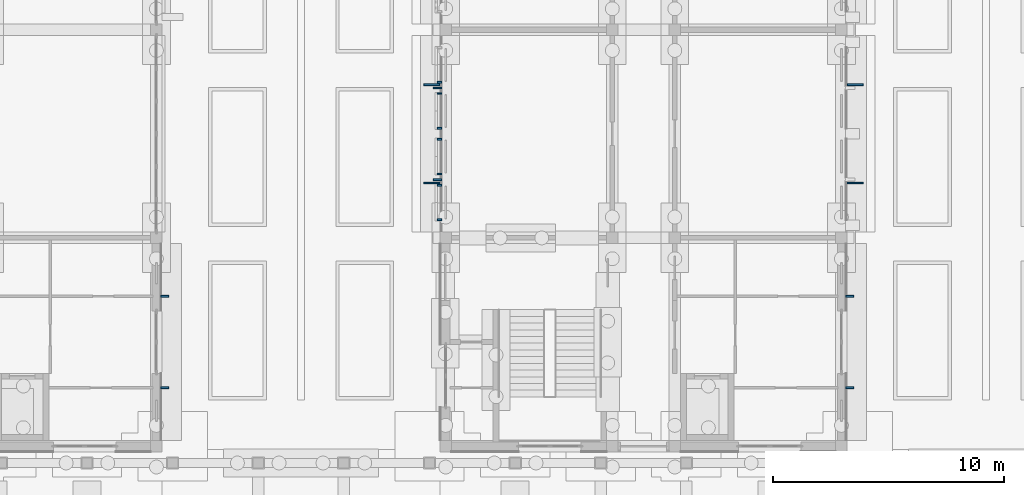
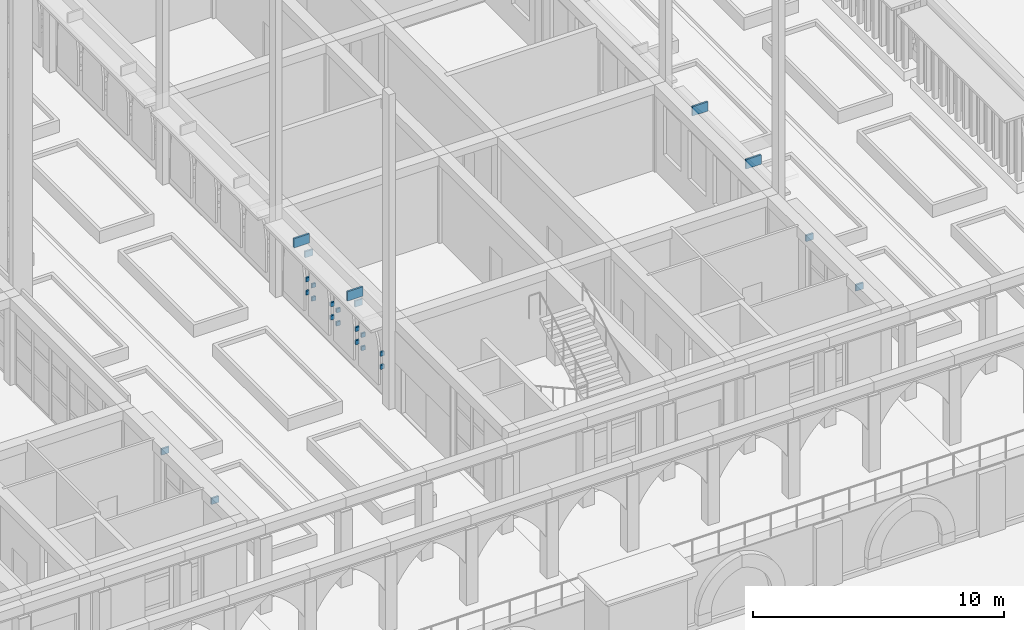
# One storey, part 79 of 161: 24 discrete accessories.
"""IFC4 building model written with IfcOpenShell, lengths in metres."""

from ifc_helpers import new_model, si_unit, direction, frame, origin, origin_2d, place, context, subcontext, project, spatial, rectangle, extrude, material, type_object, element, save


model = new_model("IFC4")

# Units and contexts
model_context = context("Model", 3, precision=1e-05, world=origin(), true_north=direction((0.0, 1.0)))
body_context = subcontext(model_context, "Body", "Model", "MODEL_VIEW")
ifc_project = project(units=[si_unit("LENGTHUNIT", "METRE"), si_unit("AREAUNIT", "SQUARE_METRE"), si_unit("VOLUMEUNIT", "CUBIC_METRE"), si_unit("PLANEANGLEUNIT", "RADIAN"), si_unit("MASSUNIT", "GRAM", prefix="KILO")], contexts=[model_context])

# Site, building, storey
site_placement = place(None, origin())
site = spatial("IfcSite", under=ifc_project, at=site_placement, CompositionType="ELEMENT")
building_placement = place(site_placement, origin())
building = spatial("IfcBuilding", under=site, at=building_placement, Name="Elbe Cascade School", CompositionType="ELEMENT")
storey_placement = place(building_placement, origin())
storey = spatial("IfcBuildingStorey", under=building, at=storey_placement, Name="L00", CompositionType="ELEMENT", Elevation=0.0)

# Discrete accessories
ifc_material = material(Name="Steel S355J2, hot-dip galvanised", Category="steel")
discrete_accessory_type = type_object("IfcDiscreteAccessoryType", Name="Bars envelope Bracket, galvanised steel", PredefinedType="BRACKET", material=ifc_material)
for number, where, z_axis, x_axis, name in (
    (1, (86.455078125, 8.52001953125, 3.330078125), (0.0, 0.0, 1.0), (0.0, 1.0, 0.0), "Bracket AC7 eave.e.1.br1"),
    (2, (86.455078125, 12.47998046875, 3.330078125), (0.0, 0.0, 1.0), (0.0, 1.0, 0.0), "Bracket AC7 eave.e.1.br2"),
    (3, (98.2451171875, 17.52001953125, 3.330078125), (0.0, 0.0, 1.0), (0.0, 1.0, 0.0), "Bracket AC7 eave.w.2.br1"),
    (4, (98.2451171875, 21.47998046875, 3.330078125), (0.0, 0.0, 1.0), (0.0, 1.0, 0.0), "Bracket AC7 eave.w.2.br2"),
):
    element("IfcDiscreteAccessory", number, at=place(storey_placement, frame(where, z_axis=z_axis, x_axis=x_axis)), inside=storey, type_object=discrete_accessory_type, Name=name, PredefinedType="BRACKET", context=body_context, shape_type="SweptSolid", body=[
        extrude(rectangle(XDim=0.080078125, YDim=0.35009765625, at=origin_2d()), origin(), (0.0, 0.0, 1.0), 0.300048828125),
    ])
for number, where, z_axis, x_axis, name in (
    (5, (98.330078125, 15.780029296875, 1.2998046875), (0.0, 0.0, 1.0), (0.0, 1.0, 0.0), "Bracket AC7 jali.w.2.br1ll"),
    (6, (98.330078125, 15.780029296875, 1.93994140625), (0.0, 0.0, 1.0), (0.0, 1.0, 0.0), "Bracket AC7 jali.w.2.br1lu"),
    (7, (98.330078125, 17.280029296875, 1.2998046875), (0.0, 0.0, 1.0), (0.0, 1.0, 0.0), "Bracket AC7 jali.w.2.br1rl"),
    (8, (98.330078125, 17.280029296875, 1.93994140625), (0.0, 0.0, 1.0), (0.0, 1.0, 0.0), "Bracket AC7 jali.w.2.br1ru"),
    (9, (98.330078125, 17.760009765625, 1.2998046875), (0.0, 0.0, 1.0), (0.0, 1.0, 0.0), "Bracket AC7 jali.w.2.br2ll"),
    (10, (98.330078125, 17.760009765625, 1.93994140625), (0.0, 0.0, 1.0), (0.0, 1.0, 0.0), "Bracket AC7 jali.w.2.br2lu"),
    (11, (98.330078125, 19.260009765625, 1.2998046875), (0.0, 0.0, 1.0), (0.0, 1.0, 0.0), "Bracket AC7 jali.w.2.br2rl"),
    (12, (98.330078125, 19.260009765625, 1.93994140625), (0.0, 0.0, 1.0), (0.0, 1.0, 0.0), "Bracket AC7 jali.w.2.br2ru"),
    (13, (98.330078125, 19.739990234375, 1.2998046875), (0.0, 0.0, 1.0), (0.0, 1.0, 0.0), "Bracket AC7 jali.w.2.br3ll"),
    (14, (98.330078125, 19.739990234375, 1.93994140625), (0.0, 0.0, 1.0), (0.0, 1.0, 0.0), "Bracket AC7 jali.w.2.br3lu"),
    (15, (98.330078125, 21.239990234375, 1.2998046875), (0.0, 0.0, 1.0), (0.0, 1.0, 0.0), "Bracket AC7 jali.w.2.br3rl"),
    (16, (98.330078125, 21.239990234375, 1.93994140625), (0.0, 0.0, 1.0), (0.0, 1.0, 0.0), "Bracket AC7 jali.w.2.br3ru"),
    (17, (98.330078125, 21.719970703125, 1.2998046875), (0.0, 0.0, 1.0), (0.0, 1.0, 0.0), "Bracket AC7 jali.w.2.br4ll"),
    (18, (98.330078125, 21.719970703125, 1.93994140625), (0.0, 0.0, 1.0), (0.0, 1.0, 0.0), "Bracket AC7 jali.w.2.br4lu"),
):
    element("IfcDiscreteAccessory", number, at=place(storey_placement, frame(where, z_axis=z_axis, x_axis=x_axis)), inside=storey, type_object=discrete_accessory_type, Name=name, PredefinedType="BRACKET", context=body_context, shape_type="SweptSolid", body=[
        extrude(rectangle(XDim=0.080078125, YDim=0.179931640625, at=origin_2d()), origin(), (0.0, 0.0, 1.0), 0.199951171875),
    ])
for number, where, z_axis, x_axis, name in (
    (19, (116.054931640625, 8.52001953125, 3.330078125), (0.0, 0.0, 1.0), (0.0, 1.0, 0.0), "Bracket AC7 eave.e.1.br1"),
    (20, (116.054931640625, 12.47998046875, 3.330078125), (0.0, 0.0, 1.0), (0.0, 1.0, 0.0), "Bracket AC7 eave.e.1.br2"),
):
    element("IfcDiscreteAccessory", number, at=place(storey_placement, frame(where, z_axis=z_axis, x_axis=x_axis)), inside=storey, type_object=discrete_accessory_type, Name=name, PredefinedType="BRACKET", context=body_context, shape_type="SweptSolid", body=[
        extrude(rectangle(XDim=0.080078125, YDim=0.35009765625, at=origin_2d()), origin(), (0.0, 0.0, 1.0), 0.300048828125),
    ])
for number, where, z_axis, x_axis, name in (
    (21, (98.0, 17.375, 3.8701171875), (0.0, 0.0, 1.0), (0.0, 1.0, 0.0), "Bracket AC7 chslab.w.1.1.br1"),
    (22, (98.0, 21.625, 3.8701171875), (0.0, 0.0, 1.0), (0.0, 1.0, 0.0), "Bracket AC7 chslab.w.1.1.br2"),
    (23, (116.300048828125, 17.375, 3.8701171875), (0.0, 0.0, 1.0), (0.0, 1.0, 0.0), "Bracket AC7 chslab.e.1.1.br1"),
    (24, (116.300048828125, 21.625, 3.8701171875), (0.0, 0.0, 1.0), (0.0, 1.0, 0.0), "Bracket AC7 chslab.e.1.1.br2"),
):
    element("IfcDiscreteAccessory", number, at=place(storey_placement, frame(where, z_axis=z_axis, x_axis=x_axis)), inside=storey, type_object=discrete_accessory_type, Name=name, PredefinedType="BRACKET", context=body_context, shape_type="SweptSolid", body=[
        extrude(rectangle(XDim=0.080078125, YDim=0.699951171875, at=origin_2d()), origin(), (0.0, 0.0, 1.0), 0.449951171875),
    ])

save(model, "model.ifc")
